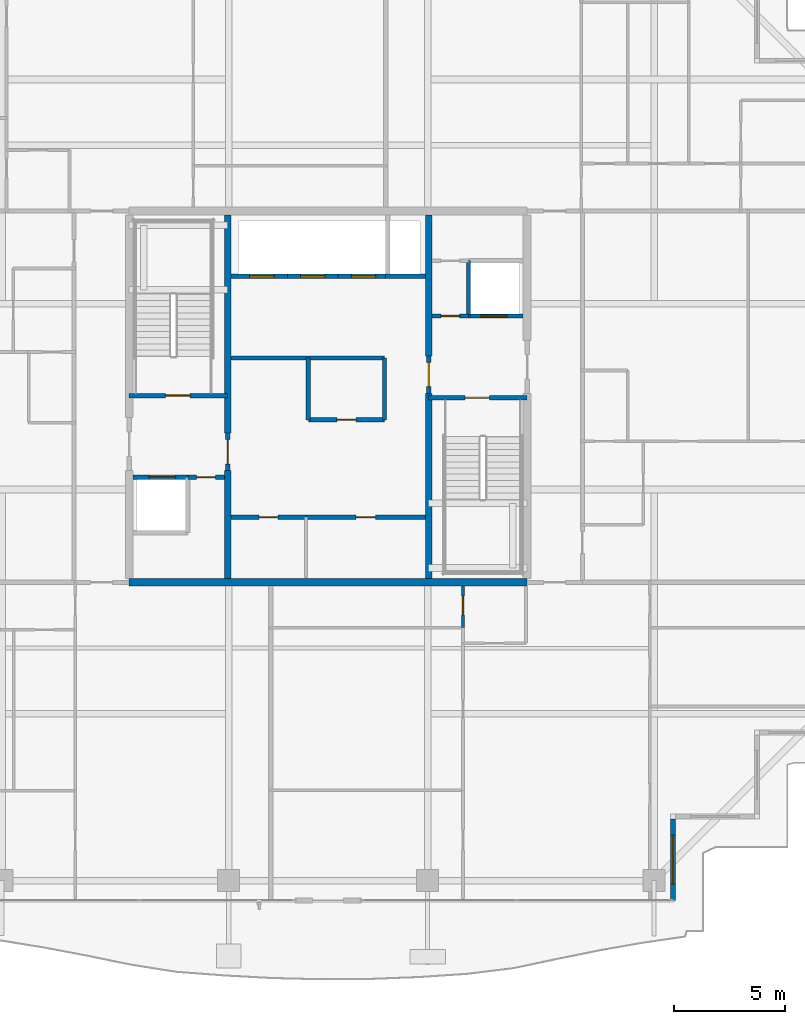
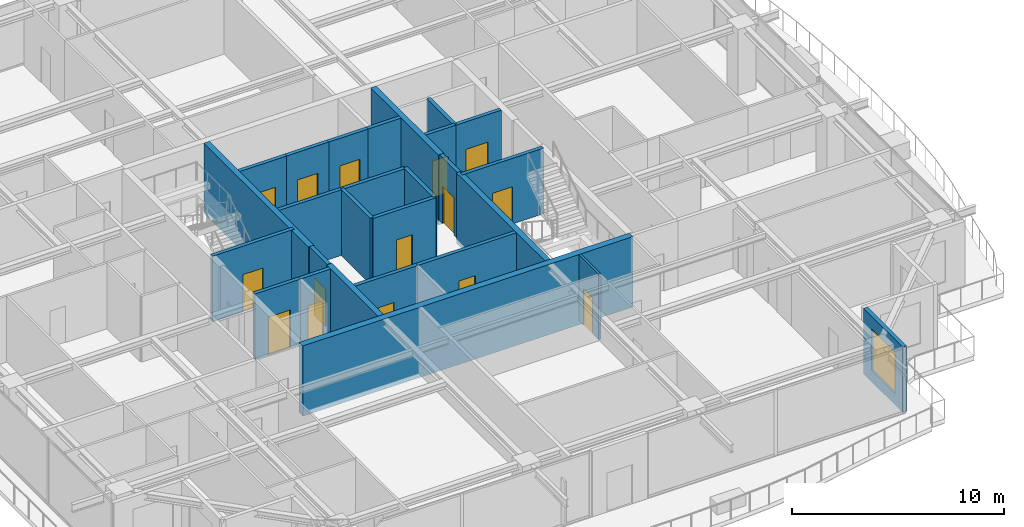
# One storey, part 31 of 41: 26 walls, 15 doors, 1 window, 16 openings.
"""IFC4 building model written with IfcOpenShell, lengths in metres."""

import ifcopenshell
import ifcopenshell.guid

model = None  # the IFC model being written
_history = None  # IfcOwnerHistory: only IFC2X3 demands one
_inside = {}  # id of a spatial element -> (the spatial element, [elements in it])
_under = {}  # id of a project, library or spatial element -> (it, [spatial elements below it])
_declared = {}  # id of a project -> (the project, [libraries it declares])
_typed = {}  # id of a type object -> (the type object, [elements of that type])
_made_of = {}  # id of a material, layer set ... -> (it, [elements and type objects made of it])


def new_model(schema):
    """Start an empty IFC model of exactly this schema.

    Asked for "IFC4X3", IfcOpenShell would pick the latest addendum, in which some entities
    have other attributes; the version numbers below select the first issue.
    IFC2X3 requires an IfcOwnerHistory on every rooted entity: one is made here for all.
    """
    global model, _history
    if schema == "IFC4X3":
        model = ifcopenshell.file(schema_version=(4, 3, 0, 0))
    else:
        model = ifcopenshell.file(schema=schema)
    _inside.clear()
    _under.clear()
    _declared.clear()
    _typed.clear()
    _made_of.clear()
    _history = None
    if model.schema == "IFC2X3":
        org = make("IfcOrganization", Name="unknown")
        user = make(
            "IfcPersonAndOrganization",
            ThePerson=make("IfcPerson", FamilyName="unknown"),
            TheOrganization=org,
        )
        app = make(
            "IfcApplication",
            ApplicationDeveloper=org,
            Version="unknown",
            ApplicationFullName="unknown",
            ApplicationIdentifier="unknown",
        )
        _history = make(
            "IfcOwnerHistory",
            OwningUser=user,
            OwningApplication=app,
            ChangeAction="ADDED",
            CreationDate=0,
        )
    return model


def make(cls, **values):
    """One entity of the class cls with the attributes given. An attribute that is None is left unset."""
    return model.create_entity(
        cls, **{name: value for name, value in values.items() if value is not None}
    )


def rooted(cls, **values):
    """An entity with a GlobalId (a new one), such as an element, a storey or a relation."""
    return make(cls, GlobalId=ifcopenshell.guid.new(), OwnerHistory=_history, **values)


def si_unit(unit_type, name, prefix=None):
    """IfcSIUnit, for example si_unit("LENGTHUNIT", "METRE", prefix="MILLI")."""
    return make("IfcSIUnit", UnitType=unit_type, Prefix=prefix, Name=name)


def assignment(units):
    """IfcUnitAssignment: the units of a project."""
    return None if units is None else make("IfcUnitAssignment", Units=units)


def point(xyz):
    """IfcCartesianPoint."""
    return None if xyz is None else make("IfcCartesianPoint", Coordinates=xyz)


def direction(xyz):
    """IfcDirection."""
    return None if xyz is None else make("IfcDirection", DirectionRatios=xyz)


def frame(location, z_axis=None, x_axis=None):
    """IfcAxis2Placement3D, a coordinate frame: its origin and axes. An axis left out is left unset."""
    return make(
        "IfcAxis2Placement3D",
        Location=point(location),
        Axis=direction(z_axis),
        RefDirection=direction(x_axis),
    )


def frame_2d(location, x_axis=None):
    """IfcAxis2Placement2D, a coordinate frame in the plane: its origin and x axis."""
    return make(
        "IfcAxis2Placement2D", Location=point(location), RefDirection=direction(x_axis)
    )


def origin():
    """The frame at (0, 0, 0) with its axes left unset."""
    return frame((0.0, 0.0, 0.0))


def place(relative_to, where):
    """IfcLocalPlacement: puts the frame where relative to a parent placement (None: the world)."""
    return make(
        "IfcLocalPlacement", PlacementRelTo=relative_to, RelativePlacement=where
    )


def context(
    kind, dimensions, precision=None, world=None, true_north=None, identifier=None
):
    """IfcGeometricRepresentationContext, for example the 3D "Model" context."""
    return make(
        "IfcGeometricRepresentationContext",
        ContextIdentifier=identifier,
        ContextType=kind,
        CoordinateSpaceDimension=dimensions,
        Precision=precision,
        WorldCoordinateSystem=world,
        TrueNorth=true_north,
    )


def subcontext(parent, identifier, kind, view, scale=None):
    """IfcGeometricRepresentationSubContext, for example "Body" below "Model"."""
    return make(
        "IfcGeometricRepresentationSubContext",
        ContextIdentifier=identifier,
        ContextType=kind,
        ParentContext=parent,
        TargetScale=scale,
        TargetView=view,
    )


def project(units=None, contexts=None):
    """IfcProject with its units and contexts."""
    return rooted(
        "IfcProject",
        Name="project",
        RepresentationContexts=contexts,
        UnitsInContext=assignment(units),
    )


def spatial(cls, under=None, at=None, **own):
    """A site, building, storey or space (cls), placed at a placement, below another one or the project."""
    s = rooted(cls, ObjectPlacement=at, **own)
    if under is not None:
        _under.setdefault(under.id(), (under, []))[1].append(s)
    return s


def profile(cls, at=None, kind="AREA", **sizes):
    """A parametric profile (cls). Its sizes go by their IFC names, for example OverallWidth=200.0."""
    return make(cls, ProfileType=kind, Position=at, **sizes)


def rectangle(**sizes):
    """IfcRectangleProfileDef."""
    return profile("IfcRectangleProfileDef", **sizes)


def extrude(swept, where, along, depth):
    """IfcExtrudedAreaSolid: the profile swept, set in the frame where, extruded along a direction by depth."""
    return make(
        "IfcExtrudedAreaSolid",
        SweptArea=swept,
        Position=where,
        ExtrudedDirection=direction(along),
        Depth=depth,
    )


def shape(context_of_items, identifier, shape_type, items):
    """IfcShapeRepresentation: the items that make up one representation, for example the "Body"."""
    return make(
        "IfcShapeRepresentation",
        ContextOfItems=context_of_items,
        RepresentationIdentifier=identifier,
        RepresentationType=shape_type,
        Items=items,
    )


def source(mapping_origin, context_of_items, identifier, shape_type, items):
    """IfcRepresentationMap: a shape defined once, which mapped items show again and again."""
    return make(
        "IfcRepresentationMap",
        MappingOrigin=mapping_origin,
        MappedRepresentation=shape(context_of_items, identifier, shape_type, items),
    )


def transform(
    local_origin,
    x_axis=None,
    y_axis=None,
    z_axis=None,
    scale=None,
    scale2=None,
    scale3=None,
    uniform=True,
):
    """IfcCartesianTransformationOperator3D, or its non-uniform kind. x_axis, y_axis, z_axis: its Axis1, 2, 3."""
    if uniform:
        return make(
            "IfcCartesianTransformationOperator3D",
            Axis1=direction(x_axis),
            Axis2=direction(y_axis),
            LocalOrigin=point(local_origin),
            Scale=scale,
            Axis3=direction(z_axis),
        )
    return make(
        "IfcCartesianTransformationOperator3DnonUniform",
        Axis1=direction(x_axis),
        Axis2=direction(y_axis),
        LocalOrigin=point(local_origin),
        Scale=scale,
        Axis3=direction(z_axis),
        Scale2=scale2,
        Scale3=scale3,
    )


def mapped(mapping_source, mapping_target):
    """IfcMappedItem: shows the shape of a source again, moved by a transform."""
    return make(
        "IfcMappedItem", MappingSource=mapping_source, MappingTarget=mapping_target
    )


def material(Name=None, Category=None):
    """IfcMaterial."""
    return make("IfcMaterial", Name=Name, Category=Category)


def layer(
    of_material, thickness, ventilated=None, Name=None, Category=None, Priority=None
):
    """IfcMaterialLayer: one layer of a wall or slab, of a material (None: an air gap)."""
    return make(
        "IfcMaterialLayer",
        Material=of_material,
        LayerThickness=thickness,
        IsVentilated=ventilated,
        Name=Name,
        Category=Category,
        Priority=Priority,
    )


def layer_set(layers, Name=None):
    """IfcMaterialLayerSet."""
    return make("IfcMaterialLayerSet", MaterialLayers=layers, LayerSetName=Name)


def made_of(thing, what):
    """Note that an element or type object is made of a material, layer set ...; save() writes the relation."""
    if what is not None:
        _made_of.setdefault(what.id(), (what, []))[1].append(thing)
    return thing


def type_object(cls, material=None, **own):
    """A type object (cls), such as IfcWallType, which elements share."""
    return made_of(rooted(cls, **own), material)


def element(
    cls,
    number,
    at=None,
    inside=None,
    cuts=None,
    type_object=None,
    material=None,
    context=None,
    identifier="Body",
    shape_type=None,
    held_by="IfcProductDefinitionShape",
    body=None,
    shapes=None,
    **own,
):
    """One element of the class cls, such as IfcWall. Its Tag is "e" and its number.

    at: its placement. inside: the storey or other place that contains it. cuts: it is an
    opening in that element (IfcRelVoidsElement). A single representation is given by context,
    identifier, shape_type and body (its items); several are given by shapes. held_by: the class
    of the entity that holds the representations. save() writes the other relations.
    """
    e = rooted(cls, Tag="e%d" % number, ObjectPlacement=at, **own)
    if body is not None:
        shapes = [shape(context, identifier, shape_type, body)]
    if shapes is not None:
        e.Representation = make(held_by, Representations=shapes)
    if inside is not None:
        _inside.setdefault(inside.id(), (inside, []))[1].append(e)
    if cuts is not None:
        rooted(
            "IfcRelVoidsElement", RelatingBuildingElement=cuts, RelatedOpeningElement=e
        )
    if type_object is not None:
        _typed.setdefault(type_object.id(), (type_object, []))[1].append(e)
    return made_of(e, material)


def fill(opening, filler):
    """IfcRelFillsElement: the door or window that sits in an opening."""
    return rooted(
        "IfcRelFillsElement",
        RelatingOpeningElement=opening,
        RelatedBuildingElement=filler,
    )


def aggregate(whole, parts):
    """IfcRelAggregates: a whole, such as a stair, and the parts it consists of."""
    return rooted("IfcRelAggregates", RelatingObject=whole, RelatedObjects=parts)


def save(model, path):
    """Write the relations noted so far, then the file.

    IfcRelAggregates (storeys below a building ...), IfcRelContainedInSpatialStructure (elements
    in a storey), IfcRelDefinesByType, IfcRelAssociatesMaterial and IfcRelDeclares: one each for
    every whole, place, type object, material and project.
    """
    for whole, parts in _under.values():
        aggregate(whole, parts)
    for where, things in _inside.values():
        rooted(
            "IfcRelContainedInSpatialStructure",
            RelatedElements=things,
            RelatingStructure=where,
        )
    for kind, things in _typed.values():
        rooted("IfcRelDefinesByType", RelatedObjects=things, RelatingType=kind)
    for what, things in _made_of.values():
        rooted("IfcRelAssociatesMaterial", RelatedObjects=things, RelatingMaterial=what)
    for by, libraries in _declared.values():
        rooted("IfcRelDeclares", RelatingContext=by, RelatedDefinitions=libraries)
    model.write(path)


model = new_model("IFC4")

# Units and contexts
model_context = context("Model", 3, precision=1e-05, world=origin(), true_north=direction((0.0, 1.0)))
body_context = subcontext(model_context, "Body", "Model", "MODEL_VIEW")
ifc_project = project(units=[si_unit("LENGTHUNIT", "METRE"), si_unit("AREAUNIT", "SQUARE_METRE"), si_unit("VOLUMEUNIT", "CUBIC_METRE"), si_unit("PLANEANGLEUNIT", "RADIAN"), si_unit("MASSUNIT", "GRAM", prefix="KILO")], contexts=[model_context])

# Site, building, storey
site_placement = place(None, origin())
site = spatial("IfcSite", under=ifc_project, at=site_placement, CompositionType="ELEMENT")
building_placement = place(site_placement, origin())
building = spatial("IfcBuilding", under=site, at=building_placement, Name="Serunith Strait Residences", CompositionType="ELEMENT")
storey_placement = place(building_placement, frame((0.0, 0.0, 301.550048828125)))
storey = spatial("IfcBuildingStorey", under=building, at=storey_placement, Name="L75", CompositionType="ELEMENT", Elevation=301.550048828125)

# Wall, opening, window
ifc_material_1 = material(Name="Pale-Champagne Aluminium Insulated Panel", Category="aluminium")
ifc_layer_1 = layer(ifc_material_1, 0.219970703125, Name="Pale-Champagne Aluminium Insulated Panel")
ifc_layer_set_1 = layer_set([ifc_layer_1], Name="Pale-Champagne Aluminium Insulated Panel")
wall_type_1 = type_object("IfcWallType", Name="EW-ALUM-220", PredefinedType="ELEMENTEDWALL", material=ifc_layer_set_1)
wall_1_placement = place(storey_placement, frame((48.0, 2.39990234375, 0.0), z_axis=(0.0, 0.0, 1.0), x_axis=(0.0, 1.0, 0.0)))
wall_1 = element("IfcWall", 1, at=wall_1_placement, inside=storey, type_object=wall_type_1, Name="L75 Girih Serrated Corner Wall 02", PredefinedType="ELEMENTEDWALL", context=body_context, shape_type="SweptSolid", body=[
    extrude(rectangle(XDim=3.690185546875, YDim=0.219970703125, at=frame_2d((1.84521484375, 0.0))), origin(), (0.0, 0.0, 1.0), 3.77490234375),
])
opening_1_placement = place(wall_1_placement, frame((0.7451171875, 0.0, 0.64990234375)))
opening_1 = element("IfcOpeningElement", 2, at=opening_1_placement, cuts=wall_1, Name="Opening W-06", PredefinedType="OPENING", context=body_context, shape_type="SweptSolid", body=[
    extrude(rectangle(XDim=2.199951171875, YDim=2.39990234375, at=frame_2d((1.10009765625, 1.199951171875))), frame((0.0, 0.1201171875, 0.0), z_axis=(0.0, -1.0, 0.0), x_axis=(1.0, 0.0, 0.0)), (0.0, 0.0, 1.0), 0.239990234375),
])
ifc_material_2 = material(Name="Crown Penthouse Low-E Operable Window Glass", Category="glass")
window_type = type_object("IfcWindowType", Name="WIN-C6", PartitioningType="TRIPLE_PANEL_VERTICAL", PredefinedType="WINDOW", material=ifc_material_2)
shared_shape_1 = source(origin(), body_context, "Body", "SweptSolid", [
    extrude(rectangle(XDim=2.199951171875, YDim=2.39990234375, at=frame_2d((1.10009765625, 1.199951171875))), frame((0.0, 0.030029296875, 0.0), z_axis=(0.0, -1.0, 0.0), x_axis=(1.0, 0.0, 0.0)), (0.0, 0.0, 1.0), 0.06005859375),
])
window_placement = place(opening_1_placement, origin())
window = element("IfcWindow", 3, at=window_placement, inside=storey, type_object=window_type, Name="L75 Corner Operable Fritted Window 02", OverallHeight=2.39990234375, OverallWidth=2.199951171875, PartitioningType="SINGLE_PANEL", PredefinedType="WINDOW", context=body_context, shape_type="MappedRepresentation", body=[
    mapped(shared_shape_1, transform((0.0, 0.0, 0.0), scale=1.0)),
])
fill(opening_1, window)

# Wall, opening, door
ifc_material_3 = material(Name="Lightweight steel-stud gypsum partition", Category="steel")
ifc_layer_2 = layer(ifc_material_3, 0.1201171875, Name="Lightweight steel-stud gypsum partition")
ifc_layer_set_2 = layer_set([ifc_layer_2], Name="Lightweight steel-stud gypsum partition")
wall_type_2 = type_object("IfcWallType", Name="IW-PART-120", PredefinedType="PARTITIONING", material=ifc_layer_set_2)
wall_2_placement = place(storey_placement, frame((38.5, 14.751953125, 0.0), z_axis=(0.0, 0.0, 1.0), x_axis=(0.0, 1.0, 0.0)))
wall_2 = element("IfcWall", 4, at=wall_2_placement, inside=storey, type_object=wall_type_2, Name="L75 Partition Wall 050", PredefinedType="PARTITIONING", context=body_context, shape_type="SweptSolid", body=[
    extrude(rectangle(XDim=1.873046875, YDim=0.1201171875, at=frame_2d((0.9365234375, 0.0))), origin(), (0.0, 0.0, 1.0), 3.7900390625),
])
opening_2_placement = place(wall_2_placement, frame((0.574951171875, 0.0, 0.0)))
opening_2 = element("IfcOpeningElement", 5, at=opening_2_placement, cuts=wall_2, Name="Opening D-BTH850", PredefinedType="OPENING", context=body_context, shape_type="SweptSolid", body=[
    extrude(rectangle(XDim=0.85009765625, YDim=2.10009765625, at=frame_2d((0.425048828125, 1.050048828125))), frame((0.0, 0.070068359375, 0.0), z_axis=(0.0, -1.0, 0.0), x_axis=(1.0, 0.0, 0.0)), (0.0, 0.0, 1.0), 0.14013671875),
])
ifc_material_4 = material(Name="Moisture-resistant timber bathroom door", Category="wood")
door_type_1 = type_object("IfcDoorType", Name="ID-BATH-850", OperationType="NOTDEFINED", PredefinedType="DOOR", material=ifc_material_4)
shared_shape_2 = source(origin(), body_context, "Body", "SweptSolid", [
    extrude(rectangle(XDim=0.85009765625, YDim=2.10009765625, at=frame_2d((0.425048828125, 1.050048828125))), frame((0.0, 0.02490234375, 0.0), z_axis=(0.0, -1.0, 0.0), x_axis=(1.0, 0.0, 0.0)), (0.0, 0.0, 1.0), 0.050048828125),
])
door_1_placement = place(opening_2_placement, origin())
door_1 = element("IfcDoor", 6, at=door_1_placement, inside=storey, type_object=door_type_1, Name="L75 Bathroom 7502 Door", OperationType="SINGLE_SWING_RIGHT", OverallHeight=2.10009765625, OverallWidth=0.85009765625, PredefinedType="DOOR", context=body_context, shape_type="MappedRepresentation", body=[
    mapped(shared_shape_2, transform((0.0, 0.0, 0.0), scale=1.0)),
])
fill(opening_2, door_1)

ifc_material_5 = material(Name="Autoclaved aerated concrete blockwork", Category="masonry")
ifc_layer_3 = layer(ifc_material_5, 0.199951171875, Name="Autoclaved aerated concrete blockwork")
ifc_layer_set_3 = layer_set([ifc_layer_3], Name="Autoclaved aerated concrete blockwork")
wall_type_3 = type_object("IfcWallType", Name="IW-SHAFT-200", PredefinedType="STANDARD", material=ifc_layer_set_3)
wall_3_placement = place(storey_placement, frame((23.39990234375, 25.25, 0.0), z_axis=(0.0, 0.0, 1.0), x_axis=(1.0, 0.0, 0.0)))
wall_3 = element("IfcWall", 7, at=wall_3_placement, inside=storey, type_object=wall_type_3, Name="L75 ST-1 South Shaft Wall", PredefinedType="STANDARD", context=body_context, shape_type="SweptSolid", body=[
    extrude(rectangle(XDim=4.4501953125, YDim=0.199951171875, at=frame_2d((2.22509765625, 0.0))), origin(), (0.0, 0.0, 1.0), 3.7900390625),
])
opening_3_placement = place(wall_3_placement, frame((1.64990234375, 0.0, 0.0)))
opening_3 = element("IfcOpeningElement", 8, at=opening_3_placement, cuts=wall_3, Name="Opening FD-1100", PredefinedType="OPENING", context=body_context, shape_type="SweptSolid", body=[
    extrude(rectangle(XDim=1.10009765625, YDim=2.14990234375, at=frame_2d((0.550048828125, 1.074951171875))), frame((0.0, 0.10986328125, 0.0), z_axis=(0.0, -1.0, 0.0), x_axis=(1.0, 0.0, 0.0)), (0.0, 0.0, 1.0), 0.219970703125),
])
ifc_material_6 = material(Name="Galvanised steel fire door leaf", Category="steel")
door_type_2 = type_object("IfcDoorType", Name="FD-STAIR-1100", OperationType="NOTDEFINED", PredefinedType="DOOR", material=ifc_material_6)
shared_shape_3 = source(origin(), body_context, "Body", "SweptSolid", [
    extrude(rectangle(XDim=1.10009765625, YDim=2.14990234375, at=frame_2d((0.550048828125, 1.074951171875))), frame((0.0, 0.02490234375, 0.0), z_axis=(0.0, -1.0, 0.0), x_axis=(1.0, 0.0, 0.0)), (0.0, 0.0, 1.0), 0.050048828125),
])
door_2_placement = place(opening_3_placement, origin())
door_2 = element("IfcDoor", 9, at=door_2_placement, inside=storey, type_object=door_type_2, Name="L75 ST-1 Escape Stair Door", OperationType="SINGLE_SWING_LEFT", OverallHeight=2.14990234375, OverallWidth=1.10009765625, PredefinedType="DOOR", context=body_context, shape_type="MappedRepresentation", body=[
    mapped(shared_shape_3, transform((0.0, 0.0, 0.0), scale=1.0)),
])
fill(opening_3, door_2)

wall_4_placement = place(storey_placement, frame((36.949951171875, 25.14990234375, 0.0), z_axis=(0.0, 0.0, 1.0), x_axis=(1.0, 0.0, 0.0)))
wall_4 = element("IfcWall", 10, at=wall_4_placement, inside=storey, type_object=wall_type_3, Name="L75 ST-2 North Shaft Wall", PredefinedType="STANDARD", context=body_context, shape_type="SweptSolid", body=[
    extrude(rectangle(XDim=4.449951171875, YDim=0.199951171875, at=frame_2d((2.22509765625, 0.0))), origin(), (0.0, 0.0, 1.0), 3.7900390625),
])
opening_4_placement = place(wall_4_placement, frame((1.64990234375, 0.0, 0.0)))
opening_4 = element("IfcOpeningElement", 11, at=opening_4_placement, cuts=wall_4, Name="Opening FD-1100", PredefinedType="OPENING", context=body_context, shape_type="SweptSolid", body=[
    extrude(rectangle(XDim=1.10009765625, YDim=2.14990234375, at=frame_2d((0.550048828125, 1.074951171875))), frame((0.0, 0.10986328125, 0.0), z_axis=(0.0, -1.0, 0.0), x_axis=(1.0, 0.0, 0.0)), (0.0, 0.0, 1.0), 0.219970703125),
])
door_3_placement = place(opening_4_placement, origin())
door_3 = element("IfcDoor", 12, at=door_3_placement, inside=storey, type_object=door_type_2, Name="L75 ST-2 Escape Stair Door", OperationType="SINGLE_SWING_RIGHT", OverallHeight=2.14990234375, OverallWidth=1.10009765625, PredefinedType="DOOR", context=body_context, shape_type="MappedRepresentation", body=[
    mapped(shared_shape_3, transform((0.0, 0.0, 0.0), scale=1.0)),
])
fill(opening_4, door_3)

wall_5_placement = place(storey_placement, frame((23.574951171875, 21.550048828125, 0.0), z_axis=(0.0, 0.0, 1.0), x_axis=(1.0, 0.0, 0.0)))
wall_5 = element("IfcWall", 13, at=wall_5_placement, inside=storey, type_object=wall_type_3, Name="L75 FL-1 North Shaft Wall", PredefinedType="STANDARD", context=body_context, shape_type="SweptSolid", body=[
    extrude(rectangle(XDim=2.47509765625, YDim=0.199951171875, at=frame_2d((1.237548828125, 0.0))), origin(), (0.0, 0.0, 1.0), 3.7900390625),
])
opening_5_placement = place(wall_5_placement, frame((0.72509765625, 0.0, 0.0)))
opening_5 = element("IfcOpeningElement", 14, at=opening_5_placement, cuts=wall_5, Name="Opening LD-FF1200", PredefinedType="OPENING", context=body_context, shape_type="SweptSolid", body=[
    extrude(rectangle(XDim=1.199951171875, YDim=2.199951171875, at=frame_2d((0.60009765625, 1.10009765625))), frame((0.0, 0.10986328125, 0.0), z_axis=(0.0, -1.0, 0.0), x_axis=(1.0, 0.0, 0.0)), (0.0, 0.0, 1.0), 0.219970703125),
])
ifc_material_7 = material(Name="Brushed stainless steel landing door", Category="steel")
door_type_3 = type_object("IfcDoorType", Name="LD-FF-1200", OperationType="DOUBLE_DOOR_SLIDING", PredefinedType="DOOR", material=ifc_material_7)
shared_shape_4 = source(origin(), body_context, "Body", "SweptSolid", [
    extrude(rectangle(XDim=1.199951171875, YDim=2.199951171875, at=frame_2d((0.60009765625, 1.10009765625))), frame((0.0, 0.02490234375, 0.0), z_axis=(0.0, -1.0, 0.0), x_axis=(1.0, 0.0, 0.0)), (0.0, 0.0, 1.0), 0.050048828125),
])
door_4_placement = place(opening_5_placement, origin())
door_4 = element("IfcDoor", 15, at=door_4_placement, inside=storey, type_object=door_type_3, Name="L75 FL-1 Landing Door", OperationType="DOUBLE_DOOR_SLIDING", OverallHeight=2.199951171875, OverallWidth=1.199951171875, PredefinedType="DOOR", context=body_context, shape_type="MappedRepresentation", body=[
    mapped(shared_shape_4, transform((0.0, 0.0, 0.0), scale=1.0)),
])
fill(opening_5, door_4)

wall_6_placement = place(storey_placement, frame((38.75, 28.85009765625, 0.0), z_axis=(0.0, 0.0, 1.0), x_axis=(1.0, 0.0, 0.0)))
wall_6 = element("IfcWall", 16, at=wall_6_placement, inside=storey, type_object=wall_type_3, Name="L75 FL-2 South Shaft Wall", PredefinedType="STANDARD", context=body_context, shape_type="SweptSolid", body=[
    extrude(rectangle(XDim=2.47509765625, YDim=0.199951171875, at=frame_2d((1.237548828125, 0.0))), origin(), (0.0, 0.0, 1.0), 3.7900390625),
])
opening_6_placement = place(wall_6_placement, frame((0.550048828125, 0.0, 0.0)))
opening_6 = element("IfcOpeningElement", 17, at=opening_6_placement, cuts=wall_6, Name="Opening LD-FF1200", PredefinedType="OPENING", context=body_context, shape_type="SweptSolid", body=[
    extrude(rectangle(XDim=1.199951171875, YDim=2.199951171875, at=frame_2d((0.60009765625, 1.10009765625))), frame((0.0, 0.10986328125, 0.0), z_axis=(0.0, -1.0, 0.0), x_axis=(1.0, 0.0, 0.0)), (0.0, 0.0, 1.0), 0.219970703125),
])
door_5_placement = place(opening_6_placement, origin())
door_5 = element("IfcDoor", 18, at=door_5_placement, inside=storey, type_object=door_type_3, Name="L75 FL-2 Landing Door", OperationType="DOUBLE_DOOR_SLIDING", OverallHeight=2.199951171875, OverallWidth=1.199951171875, PredefinedType="DOOR", context=body_context, shape_type="MappedRepresentation", body=[
    mapped(shared_shape_4, transform((0.0, 0.0, 0.0), scale=1.0)),
])
fill(opening_6, door_5)

wall_7_placement = place(storey_placement, frame((28.0, 30.64990234375, 0.0), z_axis=(0.0, 0.0, 1.0), x_axis=(1.0, 0.0, 0.0)))
wall_7 = element("IfcWall", 19, at=wall_7_placement, inside=storey, type_object=wall_type_3, Name="L75 PL-7 South Shaft Wall", PredefinedType="STANDARD", context=body_context, shape_type="SweptSolid", body=[
    extrude(rectangle(XDim=2.550048828125, YDim=0.199951171875, at=frame_2d((1.27490234375, 0.0))), origin(), (0.0, 0.0, 1.0), 3.7900390625),
])
opening_7_placement = place(wall_7_placement, frame((0.85009765625, 0.0, 0.0)))
opening_7 = element("IfcOpeningElement", 20, at=opening_7_placement, cuts=wall_7, Name="Opening LD-1100", PredefinedType="OPENING", context=body_context, shape_type="SweptSolid", body=[
    extrude(rectangle(XDim=1.10009765625, YDim=2.199951171875, at=frame_2d((0.550048828125, 1.10009765625))), frame((0.0, 0.10986328125, 0.0), z_axis=(0.0, -1.0, 0.0), x_axis=(1.0, 0.0, 0.0)), (0.0, 0.0, 1.0), 0.219970703125),
])
ifc_material_8 = material(Name="Pale-champagne stainless landing door")
door_type_4 = type_object("IfcDoorType", Name="LD-LIFT-1100", OperationType="DOUBLE_DOOR_SLIDING", PredefinedType="DOOR", material=ifc_material_8)
shared_shape_5 = source(origin(), body_context, "Body", "SweptSolid", [
    extrude(rectangle(XDim=1.10009765625, YDim=2.199951171875, at=frame_2d((0.550048828125, 1.10009765625))), frame((0.0, 0.02490234375, 0.0), z_axis=(0.0, -1.0, 0.0), x_axis=(1.0, 0.0, 0.0)), (0.0, 0.0, 1.0), 0.050048828125),
])
door_6_placement = place(opening_7_placement, origin())
door_6 = element("IfcDoor", 21, at=door_6_placement, inside=storey, type_object=door_type_4, Name="L75 PL-7 Landing Door", OperationType="DOUBLE_DOOR_SLIDING", OverallHeight=2.199951171875, OverallWidth=1.10009765625, PredefinedType="DOOR", context=body_context, shape_type="MappedRepresentation", body=[
    mapped(shared_shape_5, transform((0.0, 0.0, 0.0), scale=1.0)),
])
fill(opening_7, door_6)

wall_8_placement = place(storey_placement, frame((30.550048828125, 30.64990234375, 0.0), z_axis=(0.0, 0.0, 1.0), x_axis=(1.0, 0.0, 0.0)))
wall_8 = element("IfcWall", 22, at=wall_8_placement, inside=storey, type_object=wall_type_3, Name="L75 PL-8 South Shaft Wall", PredefinedType="STANDARD", context=body_context, shape_type="SweptSolid", body=[
    extrude(rectangle(XDim=2.300048828125, YDim=0.199951171875, at=frame_2d((1.14990234375, 0.0))), origin(), (0.0, 0.0, 1.0), 3.7900390625),
])
opening_8_placement = place(wall_8_placement, frame((0.60009765625, 0.0, 0.0)))
opening_8 = element("IfcOpeningElement", 23, at=opening_8_placement, cuts=wall_8, Name="Opening LD-1100", PredefinedType="OPENING", context=body_context, shape_type="SweptSolid", body=[
    extrude(rectangle(XDim=1.10009765625, YDim=2.199951171875, at=frame_2d((0.550048828125, 1.10009765625))), frame((0.0, 0.10986328125, 0.0), z_axis=(0.0, -1.0, 0.0), x_axis=(1.0, 0.0, 0.0)), (0.0, 0.0, 1.0), 0.219970703125),
])
door_7_placement = place(opening_8_placement, origin())
door_7 = element("IfcDoor", 24, at=door_7_placement, inside=storey, type_object=door_type_4, Name="L75 PL-8 Landing Door", OperationType="DOUBLE_DOOR_SLIDING", OverallHeight=2.199951171875, OverallWidth=1.10009765625, PredefinedType="DOOR", context=body_context, shape_type="MappedRepresentation", body=[
    mapped(shared_shape_5, transform((0.0, 0.0, 0.0), scale=1.0)),
])
fill(opening_8, door_7)

wall_9_placement = place(storey_placement, frame((32.85009765625, 30.64990234375, 0.0), z_axis=(0.0, 0.0, 1.0), x_axis=(1.0, 0.0, 0.0)))
wall_9 = element("IfcWall", 25, at=wall_9_placement, inside=storey, type_object=wall_type_3, Name="L75 PL-9 South Shaft Wall", PredefinedType="STANDARD", context=body_context, shape_type="SweptSolid", body=[
    extrude(rectangle(XDim=2.14990234375, YDim=0.199951171875, at=frame_2d((1.074951171875, 0.0))), origin(), (0.0, 0.0, 1.0), 3.7900390625),
])
opening_9_placement = place(wall_9_placement, frame((0.60009765625, 0.0, 0.0)))
opening_9 = element("IfcOpeningElement", 26, at=opening_9_placement, cuts=wall_9, Name="Opening LD-1100", PredefinedType="OPENING", context=body_context, shape_type="SweptSolid", body=[
    extrude(rectangle(XDim=1.10009765625, YDim=2.199951171875, at=frame_2d((0.550048828125, 1.10009765625))), frame((0.0, 0.10986328125, 0.0), z_axis=(0.0, -1.0, 0.0), x_axis=(1.0, 0.0, 0.0)), (0.0, 0.0, 1.0), 0.219970703125),
])
door_8_placement = place(opening_9_placement, origin())
door_8 = element("IfcDoor", 27, at=door_8_placement, inside=storey, type_object=door_type_4, Name="L75 PL-9 Landing Door", OperationType="DOUBLE_DOOR_SLIDING", OverallHeight=2.199951171875, OverallWidth=1.10009765625, PredefinedType="DOOR", context=body_context, shape_type="MappedRepresentation", body=[
    mapped(shared_shape_5, transform((0.0, 0.0, 0.0), scale=1.0)),
])
fill(opening_9, door_8)

# Wall
wall_10_placement = place(storey_placement, frame((35.0, 30.64990234375, 0.0), z_axis=(0.0, 0.0, 1.0), x_axis=(1.0, 0.0, 0.0)))
element("IfcWall", 28, at=wall_10_placement, inside=storey, type_object=wall_type_3, Name="L75 SL-1 South Shaft Wall", PredefinedType="STANDARD", context=body_context, shape_type="SweptSolid", body=[
    extrude(rectangle(XDim=1.800048828125, YDim=0.199951171875, at=frame_2d((0.89990234375, 0.0))), origin(), (0.0, 0.0, 1.0), 3.7900390625),
])

# Wall, opening, door
wall_11_placement = place(storey_placement, frame((26.052001953125, 21.550048828125, 0.0), z_axis=(0.0, 0.0, 1.0), x_axis=(1.0, 0.0, 0.0)))
wall_11 = element("IfcWall", 29, at=wall_11_placement, inside=storey, type_object=wall_type_3, Name="L75 Partition Wall 003", PredefinedType="STANDARD", context=body_context, shape_type="SweptSolid", body=[
    extrude(rectangle(XDim=1.64794921875, YDim=0.199951171875, at=frame_2d((0.823974609375, 0.0))), origin(), (0.0, 0.0, 1.0), 3.7900390625),
])
opening_10_placement = place(wall_11_placement, frame((0.39892578125, 0.0, 0.0)))
opening_10 = element("IfcOpeningElement", 30, at=opening_10_placement, cuts=wall_11, Name="Opening FD-850", PredefinedType="OPENING", context=body_context, shape_type="SweptSolid", body=[
    extrude(rectangle(XDim=0.85009765625, YDim=2.10009765625, at=frame_2d((0.425048828125, 1.050048828125))), frame((0.0, 0.10986328125, 0.0), z_axis=(0.0, -1.0, 0.0), x_axis=(1.0, 0.0, 0.0)), (0.0, 0.0, 1.0), 0.219970703125),
])
ifc_material_9 = material(Name="Powder-coated steel service closet door", Category="steel")
door_type_5 = type_object("IfcDoorType", Name="FD-BOH-850", OperationType="NOTDEFINED", PredefinedType="DOOR", material=ifc_material_9)
door_9_placement = place(opening_10_placement, origin())
door_9 = element("IfcDoor", 31, at=door_9_placement, inside=storey, type_object=door_type_5, Name="L75 South-West Core Service Door", OperationType="SINGLE_SWING_RIGHT", OverallHeight=2.10009765625, OverallWidth=0.85009765625, PredefinedType="DOOR", context=body_context, shape_type="MappedRepresentation", body=[
    mapped(shared_shape_2, transform((0.0, 0.0, 0.0), scale=1.0)),
])
fill(opening_10, door_9)

# Wall
wall_12_placement = place(storey_placement, frame((38.75, 28.85009765625, 0.0), z_axis=(0.0, 0.0, 1.0), x_axis=(0.0, 1.0, 0.0)))
element("IfcWall", 32, at=wall_12_placement, inside=storey, type_object=wall_type_3, Name="L75 Partition Wall 004", PredefinedType="STANDARD", context=body_context, shape_type="SweptSolid", body=[
    extrude(rectangle(XDim=2.5, YDim=0.199951171875, at=frame_2d((1.25, 0.0))), origin(), (0.0, 0.0, 1.0), 3.7900390625),
])

# Wall, opening, door
wall_13_placement = place(storey_placement, frame((37.10009765625, 28.85009765625, 0.0), z_axis=(0.0, 0.0, 1.0), x_axis=(1.0, 0.0, 0.0)))
wall_13 = element("IfcWall", 33, at=wall_13_placement, inside=storey, type_object=wall_type_3, Name="L75 Partition Wall 006", PredefinedType="STANDARD", context=body_context, shape_type="SweptSolid", body=[
    extrude(rectangle(XDim=1.64794921875, YDim=0.199951171875, at=frame_2d((0.823974609375, 0.0))), origin(), (0.0, 0.0, 1.0), 3.7900390625),
])
opening_11_placement = place(wall_13_placement, frame((0.39892578125, 0.0, 0.0)))
opening_11 = element("IfcOpeningElement", 34, at=opening_11_placement, cuts=wall_13, Name="Opening FD-850", PredefinedType="OPENING", context=body_context, shape_type="SweptSolid", body=[
    extrude(rectangle(XDim=0.85009765625, YDim=2.10009765625, at=frame_2d((0.425048828125, 1.050048828125))), frame((0.0, 0.10986328125, 0.0), z_axis=(0.0, -1.0, 0.0), x_axis=(1.0, 0.0, 0.0)), (0.0, 0.0, 1.0), 0.219970703125),
])
door_10_placement = place(opening_11_placement, origin())
door_10 = element("IfcDoor", 35, at=door_10_placement, inside=storey, type_object=door_type_5, Name="L75 North-East Core Service Door", OperationType="SINGLE_SWING_LEFT", OverallHeight=2.10009765625, OverallWidth=0.85009765625, PredefinedType="DOOR", context=body_context, shape_type="MappedRepresentation", body=[
    mapped(shared_shape_2, transform((0.0, 0.0, 0.0), scale=1.0)),
])
fill(opening_11, door_10)

wall_14_placement = place(storey_placement, frame((27.85009765625, 21.85205078125, 0.0), z_axis=(0.0, 0.0, 1.0), x_axis=(0.0, 1.0, 0.0)))
wall_14 = element("IfcWall", 36, at=wall_14_placement, inside=storey, type_object=wall_type_3, Name="L75 Partition Wall 009", PredefinedType="STANDARD", context=body_context, shape_type="SweptSolid", body=[
    extrude(rectangle(XDim=1.696044921875, YDim=0.199951171875, at=frame_2d((0.84814453125, 0.0))), origin(), (0.0, 0.0, 1.0), 3.7900390625),
])
opening_12_placement = place(wall_14_placement, frame((0.298095703125, 0.0, 0.0)))
opening_12 = element("IfcOpeningElement", 37, at=opening_12_placement, cuts=wall_14, Name="Opening FD-FFL", PredefinedType="OPENING", context=body_context, shape_type="SweptSolid", body=[
    extrude(rectangle(XDim=1.10009765625, YDim=2.14990234375, at=frame_2d((0.550048828125, 1.074951171875))), frame((0.0, 0.10986328125, 0.0), z_axis=(0.0, -1.0, 0.0), x_axis=(1.0, 0.0, 0.0)), (0.0, 0.0, 1.0), 0.219970703125),
])
ifc_material_10 = material(Name="Glazed steel smoke-lobby fire door", Category="steel")
door_type_6 = type_object("IfcDoorType", Name="FD-FFL-1100", OperationType="NOTDEFINED", PredefinedType="DOOR", material=ifc_material_10)
door_11_placement = place(opening_12_placement, origin())
door_11 = element("IfcDoor", 38, at=door_11_placement, inside=storey, type_object=door_type_6, Name="L75 FFL-1 Lift Lobby Door", OperationType="SINGLE_SWING_RIGHT", OverallHeight=2.14990234375, OverallWidth=1.10009765625, PredefinedType="DOOR", context=body_context, shape_type="MappedRepresentation", body=[
    mapped(shared_shape_3, transform((0.0, 0.0, 0.0), scale=1.0)),
])
fill(opening_12, door_11)

wall_15_placement = place(storey_placement, frame((36.949951171875, 25.35205078125, 0.0), z_axis=(0.0, 0.0, 1.0), x_axis=(0.0, 1.0, 0.0)))
wall_15 = element("IfcWall", 39, at=wall_15_placement, inside=storey, type_object=wall_type_3, Name="L75 Partition Wall 010", PredefinedType="STANDARD", context=body_context, shape_type="SweptSolid", body=[
    extrude(rectangle(XDim=1.696044921875, YDim=0.199951171875, at=frame_2d((0.84814453125, 0.0))), origin(), (0.0, 0.0, 1.0), 3.7900390625),
])
opening_13_placement = place(wall_15_placement, frame((0.298095703125, 0.0, 0.0)))
opening_13 = element("IfcOpeningElement", 40, at=opening_13_placement, cuts=wall_15, Name="Opening FD-FFL", PredefinedType="OPENING", context=body_context, shape_type="SweptSolid", body=[
    extrude(rectangle(XDim=1.10009765625, YDim=2.14990234375, at=frame_2d((0.550048828125, 1.074951171875))), frame((0.0, 0.10986328125, 0.0), z_axis=(0.0, -1.0, 0.0), x_axis=(1.0, 0.0, 0.0)), (0.0, 0.0, 1.0), 0.219970703125),
])
door_12_placement = place(opening_13_placement, origin())
door_12 = element("IfcDoor", 41, at=door_12_placement, inside=storey, type_object=door_type_6, Name="L75 FFL-2 Lift Lobby Door", OperationType="SINGLE_SWING_LEFT", OverallHeight=2.14990234375, OverallWidth=1.10009765625, PredefinedType="DOOR", context=body_context, shape_type="MappedRepresentation", body=[
    mapped(shared_shape_3, transform((0.0, 0.0, 0.0), scale=1.0)),
])
fill(opening_13, door_12)

wall_16_placement = place(storey_placement, frame((28.0, 19.75, 0.0), z_axis=(0.0, 0.0, 1.0), x_axis=(1.0, 0.0, 0.0)))
wall_16 = element("IfcWall", 42, at=wall_16_placement, inside=storey, type_object=wall_type_3, Name="L75 Partition Wall 012", PredefinedType="STANDARD", context=body_context, shape_type="SweptSolid", body=[
    extrude(rectangle(XDim=3.39990234375, YDim=0.199951171875, at=frame_2d((1.699951171875, 0.0))), origin(), (0.0, 0.0, 1.0), 3.7900390625),
])
opening_14_placement = place(wall_16_placement, frame((1.27490234375, 0.0, 0.0)))
opening_14 = element("IfcOpeningElement", 43, at=opening_14_placement, cuts=wall_16, Name="Opening FD-850", PredefinedType="OPENING", context=body_context, shape_type="SweptSolid", body=[
    extrude(rectangle(XDim=0.85009765625, YDim=2.10009765625, at=frame_2d((0.425048828125, 1.050048828125))), frame((0.0, 0.10986328125, 0.0), z_axis=(0.0, -1.0, 0.0), x_axis=(1.0, 0.0, 0.0)), (0.0, 0.0, 1.0), 0.219970703125),
])
door_13_placement = place(opening_14_placement, origin())
door_13 = element("IfcDoor", 44, at=door_13_placement, inside=storey, type_object=door_type_5, Name="L75 Booster Pump Door", OperationType="SINGLE_SWING_LEFT", OverallHeight=2.10009765625, OverallWidth=0.85009765625, PredefinedType="DOOR", context=body_context, shape_type="MappedRepresentation", body=[
    mapped(shared_shape_2, transform((0.0, 0.0, 0.0), scale=1.0)),
])
fill(opening_14, door_13)

wall_17_placement = place(storey_placement, frame((31.402099609375, 19.75, 0.0), z_axis=(0.0, 0.0, 1.0), x_axis=(1.0, 0.0, 0.0)))
wall_17 = element("IfcWall", 45, at=wall_17_placement, inside=storey, type_object=wall_type_3, Name="L75 Partition Wall 013", PredefinedType="STANDARD", context=body_context, shape_type="SweptSolid", body=[
    extrude(rectangle(XDim=5.39794921875, YDim=0.199951171875, at=frame_2d((2.698974609375, 0.0))), origin(), (0.0, 0.0, 1.0), 3.7900390625),
])
opening_15_placement = place(wall_17_placement, frame((2.2490234375, 0.0, 0.0)))
opening_15 = element("IfcOpeningElement", 46, at=opening_15_placement, cuts=wall_17, Name="Opening FD-900", PredefinedType="OPENING", context=body_context, shape_type="SweptSolid", body=[
    extrude(rectangle(XDim=0.89990234375, YDim=2.10009765625, at=frame_2d((0.449951171875, 1.050048828125))), frame((0.0, 0.10986328125, 0.0), z_axis=(0.0, -1.0, 0.0), x_axis=(1.0, 0.0, 0.0)), (0.0, 0.0, 1.0), 0.219970703125),
])
ifc_material_11 = material(Name="Powder-coated steel riser door", Category="steel")
door_type_7 = type_object("IfcDoorType", Name="FD-BOH-900", OperationType="NOTDEFINED", PredefinedType="DOOR", material=ifc_material_11)
shared_shape_6 = source(origin(), body_context, "Body", "SweptSolid", [
    extrude(rectangle(XDim=0.89990234375, YDim=2.10009765625, at=frame_2d((0.449951171875, 1.050048828125))), frame((0.0, 0.02490234375, 0.0), z_axis=(0.0, -1.0, 0.0), x_axis=(1.0, 0.0, 0.0)), (0.0, 0.0, 1.0), 0.050048828125),
])
door_14_placement = place(opening_15_placement, origin())
door_14 = element("IfcDoor", 47, at=door_14_placement, inside=storey, type_object=door_type_7, Name="L75 Zone Switchroom Door", OperationType="SINGLE_SWING_RIGHT", OverallHeight=2.10009765625, OverallWidth=0.89990234375, PredefinedType="DOOR", context=body_context, shape_type="MappedRepresentation", body=[
    mapped(shared_shape_6, transform((0.0, 0.0, 0.0), scale=1.0)),
])
fill(opening_15, door_14)

# Walls
wall_18_placement = place(storey_placement, frame((28.0, 26.949951171875, 0.0), z_axis=(0.0, 0.0, 1.0), x_axis=(1.0, 0.0, 0.0)))
element("IfcWall", 48, at=wall_18_placement, inside=storey, type_object=wall_type_3, Name="L75 Partition Wall 015", PredefinedType="STANDARD", context=body_context, shape_type="SweptSolid", body=[
    extrude(rectangle(XDim=6.949951171875, YDim=0.199951171875, at=frame_2d((3.47509765625, 0.0))), origin(), (0.0, 0.0, 1.0), 3.7900390625),
])
wall_19_placement = place(storey_placement, frame((34.949951171875, 24.14990234375, 0.0), z_axis=(0.0, 0.0, 1.0), x_axis=(0.0, 1.0, 0.0)))
element("IfcWall", 49, at=wall_19_placement, inside=storey, type_object=wall_type_3, Name="L75 Partition Wall 016", PredefinedType="STANDARD", context=body_context, shape_type="SweptSolid", body=[
    extrude(rectangle(XDim=2.800048828125, YDim=0.199951171875, at=frame_2d((1.39990234375, 0.0))), origin(), (0.0, 0.0, 1.0), 3.7900390625),
])

# Wall, opening, door
wall_20_placement = place(storey_placement, frame((31.5, 24.14990234375, 0.0), z_axis=(0.0, 0.0, 1.0), x_axis=(1.0, 0.0, 0.0)))
wall_20 = element("IfcWall", 50, at=wall_20_placement, inside=storey, type_object=wall_type_3, Name="L75 Partition Wall 017", PredefinedType="STANDARD", context=body_context, shape_type="SweptSolid", body=[
    extrude(rectangle(XDim=3.449951171875, YDim=0.199951171875, at=frame_2d((1.72509765625, 0.0))), origin(), (0.0, 0.0, 1.0), 3.7900390625),
])
opening_16_placement = place(wall_20_placement, frame((1.300048828125, 0.0, 0.0)))
opening_16 = element("IfcOpeningElement", 51, at=opening_16_placement, cuts=wall_20, Name="Opening FD-850", PredefinedType="OPENING", context=body_context, shape_type="SweptSolid", body=[
    extrude(rectangle(XDim=0.85009765625, YDim=2.10009765625, at=frame_2d((0.425048828125, 1.050048828125))), frame((0.0, 0.10986328125, 0.0), z_axis=(0.0, -1.0, 0.0), x_axis=(1.0, 0.0, 0.0)), (0.0, 0.0, 1.0), 0.219970703125),
])
door_15_placement = place(opening_16_placement, origin())
door_15 = element("IfcDoor", 52, at=door_15_placement, inside=storey, type_object=door_type_5, Name="L75 Upper Meter Room Door", OperationType="SINGLE_SWING_LEFT", OverallHeight=2.10009765625, OverallWidth=0.85009765625, PredefinedType="DOOR", context=body_context, shape_type="MappedRepresentation", body=[
    mapped(shared_shape_2, transform((0.0, 0.0, 0.0), scale=1.0)),
])
fill(opening_16, door_15)

# Walls
wall_21_placement = place(storey_placement, frame((31.5, 24.14990234375, 0.0), z_axis=(0.0, 0.0, 1.0), x_axis=(0.0, 1.0, 0.0)))
element("IfcWall", 53, at=wall_21_placement, inside=storey, type_object=wall_type_3, Name="L75 Partition Wall 018", PredefinedType="STANDARD", context=body_context, shape_type="SweptSolid", body=[
    extrude(rectangle(XDim=2.800048828125, YDim=0.199951171875, at=frame_2d((1.39990234375, 0.0))), origin(), (0.0, 0.0, 1.0), 3.7900390625),
])
ifc_material_12 = material(Name="Concrete C60/75", Category="concrete")
ifc_layer_4 = layer(ifc_material_12, 0.300048828125, Name="Concrete C60/75")
ifc_layer_set_4 = layer_set([ifc_layer_4], Name="Concrete C60/75")
wall_type_4 = type_object("IfcWallType", Name="SW-300-C60", PredefinedType="SHEAR", material=ifc_layer_set_4)
wall_22_placement = place(storey_placement, frame((27.85009765625, 16.97509765625, -0.260009765625), z_axis=(0.0, 0.0, 1.0), x_axis=(0.0, 1.0, 0.0)))
element("IfcWall", 54, at=wall_22_placement, inside=storey, type_object=wall_type_4, Name="L75 Core Internal West Web South Pier", PredefinedType="SHEAR", context=body_context, shape_type="SweptSolid", body=[
    extrude(rectangle(XDim=4.875, YDim=0.300048828125, at=frame_2d((2.4375, 0.0))), origin(), (0.0, 0.0, 1.0), 4.0478515625),
])
wall_23_placement = place(storey_placement, frame((27.85009765625, 23.550048828125, -0.260009765625), z_axis=(0.0, 0.0, 1.0), x_axis=(0.0, 1.0, 0.0)))
element("IfcWall", 55, at=wall_23_placement, inside=storey, type_object=wall_type_4, Name="L75 Core Internal West Web North Pier", PredefinedType="SHEAR", context=body_context, shape_type="SweptSolid", body=[
    extrude(rectangle(XDim=9.875, YDim=0.300048828125, at=frame_2d((4.9375, 0.0))), origin(), (0.0, 0.0, 1.0), 4.0478515625),
])
wall_24_placement = place(storey_placement, frame((36.949951171875, 16.97509765625, -0.260009765625), z_axis=(0.0, 0.0, 1.0), x_axis=(0.0, 1.0, 0.0)))
element("IfcWall", 56, at=wall_24_placement, inside=storey, type_object=wall_type_4, Name="L75 Core Internal East Web South Pier", PredefinedType="SHEAR", context=body_context, shape_type="SweptSolid", body=[
    extrude(rectangle(XDim=8.375, YDim=0.300048828125, at=frame_2d((4.1875, 0.0))), origin(), (0.0, 0.0, 1.0), 4.0478515625),
])
wall_25_placement = place(storey_placement, frame((36.949951171875, 27.050048828125, -0.260009765625), z_axis=(0.0, 0.0, 1.0), x_axis=(0.0, 1.0, 0.0)))
element("IfcWall", 57, at=wall_25_placement, inside=storey, type_object=wall_type_4, Name="L75 Core Internal East Web North Pier", PredefinedType="SHEAR", context=body_context, shape_type="SweptSolid", body=[
    extrude(rectangle(XDim=6.375, YDim=0.300048828125, at=frame_2d((3.1875, 0.0))), origin(), (0.0, 0.0, 1.0), 4.0478515625),
])
ifc_layer_5 = layer(ifc_material_12, 0.35009765625, Name="Concrete C60/75")
ifc_layer_set_5 = layer_set([ifc_layer_5], Name="Concrete C60/75")
wall_type_5 = type_object("IfcWallType", Name="SW-350-C60", PredefinedType="SHEAR", material=ifc_layer_set_5)
wall_26_placement = place(storey_placement, frame((23.39990234375, 16.800048828125, -0.260009765625), z_axis=(0.0, 0.0, 1.0), x_axis=(1.0, 0.0, 0.0)))
element("IfcWall", 58, at=wall_26_placement, inside=storey, type_object=wall_type_5, Name="L75 Core South Shear Wall", PredefinedType="SHEAR", context=body_context, shape_type="SweptSolid", body=[
    extrude(rectangle(XDim=18.0, YDim=0.35009765625, at=frame_2d((9.0, 0.0))), origin(), (0.0, 0.0, 1.0), 4.0478515625),
])

save(model, "model.ifc")
